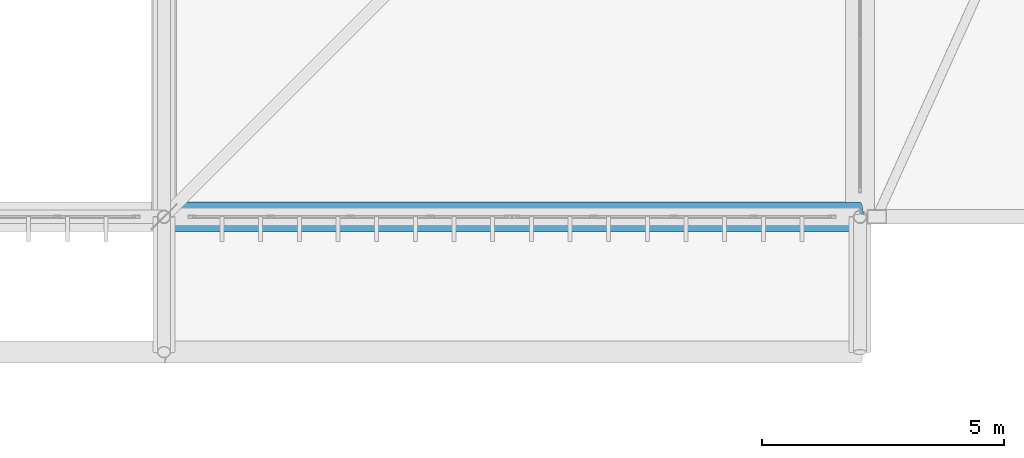
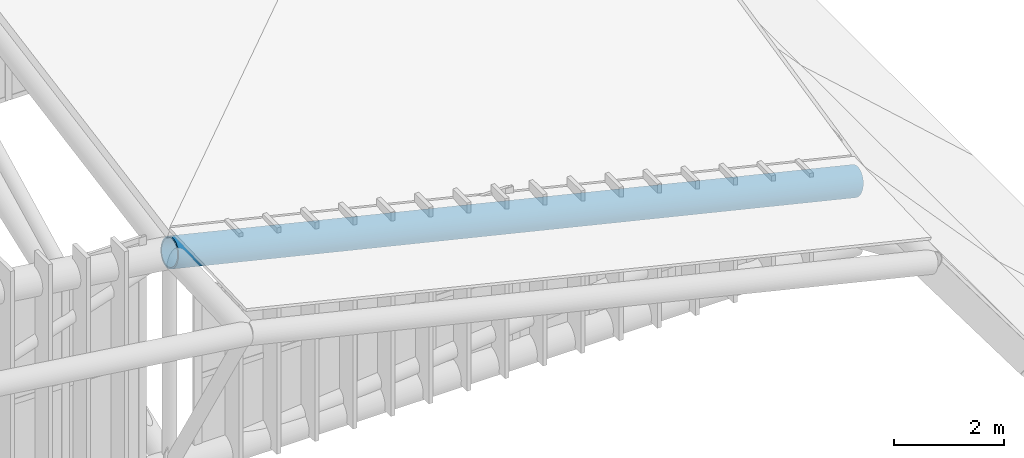
# One storey, part 112 of 397: 1 beam.
"""IFC4 building model written with IfcOpenShell, lengths in metres."""

from ifc_helpers import new_model, si_unit, direction, frame, origin, origin_2d, place, context, subcontext, project, spatial, hollow_circle, extrude, material, material_profile, profile_set, type_object, element, save


model = new_model("IFC4")

# Units and contexts
model_context = context("Model", 3, precision=1e-05, world=origin(), true_north=direction((0.0, 1.0)))
body_context = subcontext(model_context, "Body", "Model", "MODEL_VIEW")
ifc_project = project(units=[si_unit("LENGTHUNIT", "METRE"), si_unit("AREAUNIT", "SQUARE_METRE"), si_unit("VOLUMEUNIT", "CUBIC_METRE"), si_unit("PLANEANGLEUNIT", "RADIAN"), si_unit("MASSUNIT", "GRAM", prefix="KILO")], contexts=[model_context])

# Site, building, storey
site_placement = place(None, origin())
site = spatial("IfcSite", under=ifc_project, at=site_placement, CompositionType="ELEMENT")
building_placement = place(site_placement, origin())
building = spatial("IfcBuilding", under=site, at=building_placement, Name="Qandorah Velis Arena", CompositionType="ELEMENT")
storey_placement = place(building_placement, frame((0.0, 0.0, 27.5)))
storey = spatial("IfcBuildingStorey", under=building, at=storey_placement, Name="RF", CompositionType="ELEMENT", Elevation=27.5)

# Beam
ifc_material = material(Name="Steel S460", Category="steel")
ifc_material_profile = material_profile(ifc_material, hollow_circle(Radius=0.304931640625, WallThickness=0.031982421875, at=origin_2d()), Name="CHS 610x32")
ifc_profile_set = profile_set([ifc_material_profile], Name="Steel S460")
beam_type = type_object("IfcBeamType", Name="STR-SFC-CHS610X32", PredefinedType="USERDEFINED", material=ifc_profile_set)
beam_placement = place(storey_placement, frame((100.800048828125, 14.39990234375, 4.851806640625), z_axis=(0.972449674239, 0.0, -0.233112914856), x_axis=(0.0, 1.0, 0.0)))
element("IfcBeam", 1, at=beam_placement, inside=storey, type_object=beam_type, Name="Space frame roof truss top chord X 6.0", ObjectType="ROOF TRUSS", PredefinedType="USERDEFINED", context=body_context, shape_type="SweptSolid", body=[
    extrude(hollow_circle(Radius=0.304931640625, WallThickness=0.031982421875, at=origin_2d()), origin(), (0.0, 0.0, 1.0), 14.807861328125),
])

save(model, "model.ifc")
